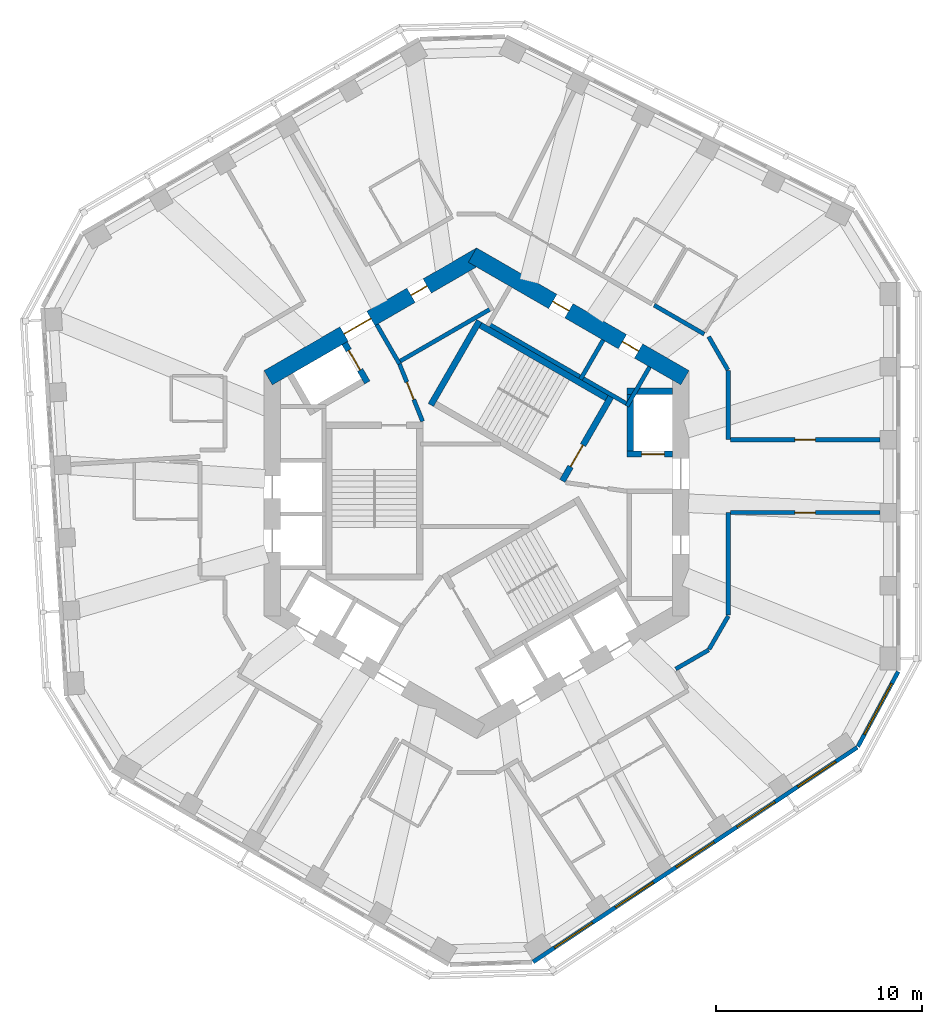
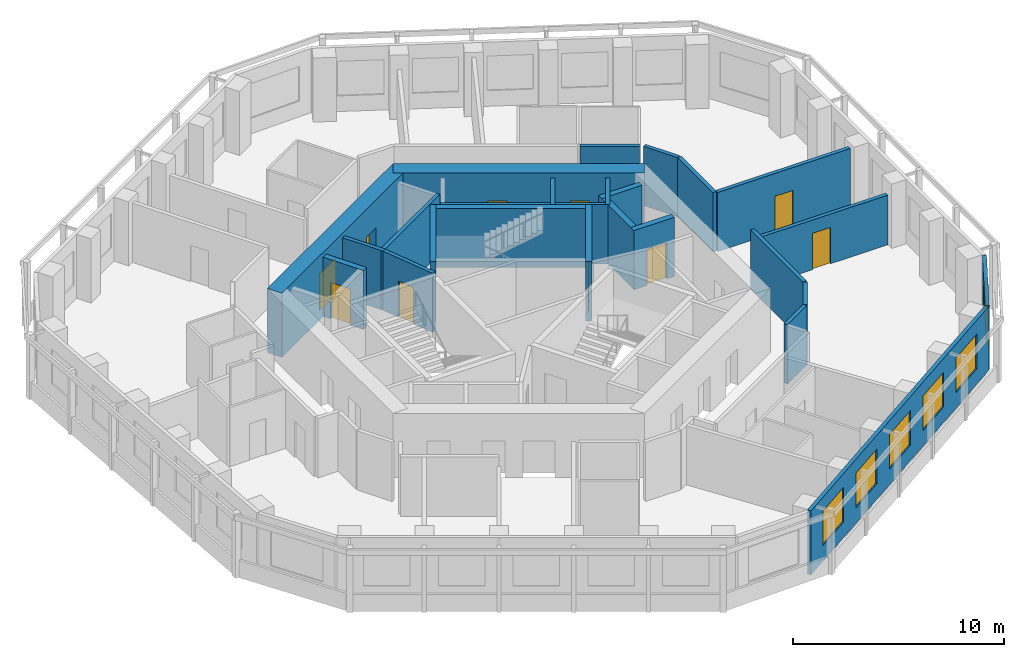
# One storey, part 6 of 11: 25 walls, 10 doors, 6 windows, 16 openings.
"""IFC4 building model written with IfcOpenShell, lengths in metres."""

from ifc_helpers import new_model, si_unit, direction, frame, frame_2d, origin, place, context, subcontext, project, spatial, rectangle, extrude, material, layer, layer_set, type_object, element, fill, save


model = new_model("IFC4")

# Units and contexts
model_context = context("Model", 3, precision=1e-05, world=origin(), true_north=direction((0.0, 1.0)))
body_context = subcontext(model_context, "Body", "Model", "MODEL_VIEW")
ifc_project = project(units=[si_unit("LENGTHUNIT", "METRE"), si_unit("AREAUNIT", "SQUARE_METRE"), si_unit("VOLUMEUNIT", "CUBIC_METRE"), si_unit("PLANEANGLEUNIT", "RADIAN"), si_unit("MASSUNIT", "GRAM", prefix="KILO")], contexts=[model_context])

# Site, building, storey
site_placement = place(None, origin())
site = spatial("IfcSite", under=ifc_project, at=site_placement, CompositionType="ELEMENT")
building_placement = place(site_placement, origin())
building = spatial("IfcBuilding", under=site, at=building_placement, Name="Vanh Sen Convention Tower", CompositionType="ELEMENT")
storey_placement = place(building_placement, frame((0.0, 0.0, 232.800048828125)))
storey = spatial("IfcBuildingStorey", under=building, at=storey_placement, Name="L57", CompositionType="ELEMENT", Elevation=232.800048828125)

# Wall, openings, doors
ifc_material_1 = material(Name="Concrete C60/75", Category="concrete")
ifc_layer_1 = layer(ifc_material_1, 0.800048828125)
ifc_layer_set_1 = layer_set([ifc_layer_1], Name="Concrete C60/75")
wall_type_1 = type_object("IfcWallType", Name="Core outer wall 800 C60/75", PredefinedType="SHEAR", material=ifc_layer_set_1)
wall_1_placement = place(storey_placement, frame((10.10009765625, 5.600341796875, 0.0), z_axis=(0.0, 0.0, 1.0), x_axis=(-0.866023897231, 0.500002609418, 0.0)))
wall_1 = element("IfcWall", 1, at=wall_1_placement, inside=storey, type_object=wall_type_1, Name="Core wall face NE L57", PredefinedType="SHEAR", context=body_context, shape_type="SweptSolid", body=[
    extrude(rectangle(XDim=11.8935546875, YDim=0.800048828125, at=frame_2d((5.94677734375, 0.0))), origin(), (0.0, 0.0, 1.0), 3.699951171875),
])
opening_1_placement = place(wall_1_placement, frame((2.5966796875, 0.0, 0.0)))
opening_1 = element("IfcOpeningElement", 2, at=opening_1_placement, cuts=wall_1, Name="Opening D56011", PredefinedType="OPENING", context=body_context, shape_type="SweptSolid", body=[
    extrude(rectangle(XDim=0.89990234375, YDim=2.10009765625, at=frame_2d((0.449951171875, 1.050048828125))), frame((0.0, 0.409912109375, 0.0), z_axis=(0.0, -1.0, 0.0), x_axis=(1.0, 0.0, 0.0)), (0.0, 0.0, 1.0), 0.820068359375),
])
opening_2_placement = place(wall_1_placement, frame((6.49658203125, 0.0, 0.0)))
opening_2 = element("IfcOpeningElement", 3, at=opening_2_placement, cuts=wall_1, Name="Opening D56012", PredefinedType="OPENING", context=body_context, shape_type="SweptSolid", body=[
    extrude(rectangle(XDim=0.89990234375, YDim=2.10009765625, at=frame_2d((0.449951171875, 1.050048828125))), frame((0.0, 0.409912109375, 0.0), z_axis=(0.0, -1.0, 0.0), x_axis=(1.0, 0.0, 0.0)), (0.0, 0.0, 1.0), 0.820068359375),
])
ifc_material_2 = material(Name="Steel S355", Category="steel")
door_type_1 = type_object("IfcDoorType", Name="Plant door 900", OperationType="SINGLE_SWING_LEFT", PredefinedType="DOOR", material=ifc_material_2)
door_1_placement = place(opening_1_placement, origin())
door_1 = element("IfcDoor", 4, at=door_1_placement, inside=storey, type_object=door_type_1, Name="Plant door D56011", OperationType="SINGLE_SWING_LEFT", OverallHeight=2.10009765625, OverallWidth=0.89990234375, PredefinedType="DOOR", context=body_context, shape_type="SweptSolid", body=[
    extrude(rectangle(XDim=0.89990234375, YDim=2.10009765625, at=frame_2d((0.449951171875, 1.050048828125))), frame((0.0, 0.02490234375, 0.0), z_axis=(0.0, -1.0, 0.0), x_axis=(1.0, 0.0, 0.0)), (0.0, 0.0, 1.0), 0.050048828125),
])
fill(opening_1, door_1)
door_2_placement = place(opening_2_placement, origin())
door_2 = element("IfcDoor", 5, at=door_2_placement, inside=storey, type_object=door_type_1, Name="Plant door D56012", OperationType="SINGLE_SWING_LEFT", OverallHeight=2.10009765625, OverallWidth=0.89990234375, PredefinedType="DOOR", context=body_context, shape_type="SweptSolid", body=[
    extrude(rectangle(XDim=0.89990234375, YDim=2.10009765625, at=frame_2d((0.449951171875, 1.050048828125))), frame((0.0, 0.02490234375, 0.0), z_axis=(0.0, -1.0, 0.0), x_axis=(1.0, 0.0, 0.0)), (0.0, 0.0, 1.0), 0.050048828125),
])
fill(opening_2, door_2)

wall_2_placement = place(storey_placement, frame((0.199951171875, 11.547119140625, 0.0), z_axis=(0.0, 0.0, 1.0), x_axis=(-0.866023897231, -0.500002609418, 0.0)))
wall_2 = element("IfcWall", 6, at=wall_2_placement, inside=storey, type_object=wall_type_1, Name="Core wall face NW L57", PredefinedType="SHEAR", context=body_context, shape_type="SweptSolid", body=[
    extrude(rectangle(XDim=11.8935546875, YDim=0.800048828125, at=frame_2d((5.94677734375, 0.0))), origin(), (0.0, 0.0, 1.0), 3.699951171875),
])
opening_3_placement = place(wall_2_placement, frame((6.146728515625, 0.0, 0.0)))
opening_3 = element("IfcOpeningElement", 7, at=opening_3_placement, cuts=wall_2, Name="Opening D56002", PredefinedType="OPENING", context=body_context, shape_type="SweptSolid", body=[
    extrude(rectangle(XDim=1.5, YDim=2.10009765625, at=frame_2d((0.75, 1.050048828125))), frame((0.0, 0.409912109375, 0.0), z_axis=(0.0, -1.0, 0.0), x_axis=(1.0, 0.0, 0.0)), (0.0, 0.0, 1.0), 0.820068359375),
])
opening_4_placement = place(wall_2_placement, frame((2.99658203125, 0.0, 0.0)))
opening_4 = element("IfcOpeningElement", 8, at=opening_4_placement, cuts=wall_2, Name="Opening D56013", PredefinedType="OPENING", context=body_context, shape_type="SweptSolid", body=[
    extrude(rectangle(XDim=0.89990234375, YDim=2.10009765625, at=frame_2d((0.449951171875, 1.050048828125))), frame((0.0, 0.409912109375, 0.0), z_axis=(0.0, -1.0, 0.0), x_axis=(1.0, 0.0, 0.0)), (0.0, 0.0, 1.0), 0.820068359375),
])
door_3_placement = place(opening_4_placement, origin())
door_3 = element("IfcDoor", 9, at=door_3_placement, inside=storey, type_object=door_type_1, Name="Plant door D56013", OperationType="SINGLE_SWING_LEFT", OverallHeight=2.10009765625, OverallWidth=0.89990234375, PredefinedType="DOOR", context=body_context, shape_type="SweptSolid", body=[
    extrude(rectangle(XDim=0.89990234375, YDim=2.10009765625, at=frame_2d((0.449951171875, 1.050048828125))), frame((0.0, 0.02490234375, 0.0), z_axis=(0.0, -1.0, 0.0), x_axis=(1.0, 0.0, 0.0)), (0.0, 0.0, 1.0), 0.050048828125),
])
fill(opening_4, door_3)
door_type_2 = type_object("IfcDoorType", Name="Stair lobby door 1500", OperationType="DOUBLE_DOOR_SINGLE_SWING", PredefinedType="DOOR", material=ifc_material_2)
door_4_placement = place(opening_3_placement, origin())
door_4 = element("IfcDoor", 10, at=door_4_placement, inside=storey, type_object=door_type_2, Name="Stair lobby door D56002", OperationType="DOUBLE_DOOR_SINGLE_SWING", OverallHeight=2.10009765625, OverallWidth=1.5, PredefinedType="DOOR", context=body_context, shape_type="SweptSolid", body=[
    extrude(rectangle(XDim=1.5, YDim=2.10009765625, at=frame_2d((0.75, 1.050048828125))), frame((0.0, 0.02490234375, 0.0), z_axis=(0.0, -1.0, 0.0), x_axis=(1.0, 0.0, 0.0)), (0.0, 0.0, 1.0), 0.050048828125),
])
fill(opening_3, door_4)

# Walls
ifc_material_3 = material(Name="Gypsum board on steel studs with mineral wool", Category="steel")
ifc_layer_2 = layer(ifc_material_3, 0.199951171875)
ifc_layer_set_2 = layer_set([ifc_layer_2], Name="Gypsum board on steel studs with mineral wool")
wall_type_2 = type_object("IfcWallType", Name="Corridor partition wall 200", PredefinedType="PARTITIONING", material=ifc_layer_set_2)
wall_3_placement = place(storey_placement, frame((9.651611328125, -8.514892578125, 0.0), z_axis=(0.0, 0.0, 1.0), x_axis=(0.866020375458, 0.500008709215, 0.0)))
element("IfcWall", 11, at=wall_3_placement, inside=storey, type_object=wall_type_2, Name="Corridor partition wall 200", PredefinedType="PARTITIONING", context=body_context, shape_type="SweptSolid", body=[
    extrude(rectangle(XDim=1.845703125, YDim=0.199951171875, at=frame_2d((0.9228515625, 0.0))), origin(), (0.0, 0.0, 1.0), 3.419921875),
])
wall_4_placement = place(storey_placement, frame((11.033447265625, 7.717041015625, 0.0), z_axis=(0.0, 0.0, 1.0), x_axis=(-0.865996816683, 0.500049511043, 0.0)))
element("IfcWall", 12, at=wall_4_placement, inside=storey, type_object=wall_type_2, Name="Corridor partition wall 200", PredefinedType="PARTITIONING", context=body_context, shape_type="SweptSolid", body=[
    extrude(rectangle(XDim=2.800048828125, YDim=0.199951171875, at=frame_2d((1.39990234375, 0.0))), origin(), (0.0, 0.0, 1.0), 3.419921875),
])
for number, where, z_axis, x_axis, name in (
    (13, (11.27001953125, -7.5576171875, 0.0), (0.0, 0.0, 1.0), (0.499964847546, 0.866045698112, 0.0), "Corridor partition wall 200"),
    (14, (12.179931640625, 5.981201171875, 0.0), (0.0, 0.0, 1.0), (-0.499964847546, 0.866045698112, 0.0), "Corridor partition wall 200"),
):
    element("IfcWall", number, at=place(storey_placement, frame(where, z_axis=z_axis, x_axis=x_axis)), inside=storey, type_object=wall_type_2, Name=name, PredefinedType="PARTITIONING", context=body_context, shape_type="SweptSolid", body=[
        extrude(rectangle(XDim=1.860107421875, YDim=0.199951171875, at=frame_2d((0.93017578125, 0.0))), origin(), (0.0, 0.0, 1.0), 3.419921875),
    ])
wall_5_placement = place(storey_placement, frame((12.199951171875, -5.90673828125, 0.0), z_axis=(0.0, 0.0, 1.0), x_axis=(0.0, 1.0, 0.0)))
element("IfcWall", 15, at=wall_5_placement, inside=storey, type_object=wall_type_2, Name="Corridor partition wall 200", PredefinedType="PARTITIONING", context=body_context, shape_type="SweptSolid", body=[
    extrude(rectangle(XDim=4.97119140625, YDim=0.199951171875, at=frame_2d((2.485595703125, 0.0))), origin(), (0.0, 0.0, 1.0), 3.419921875),
])
wall_6_placement = place(storey_placement, frame((12.199951171875, 2.59814453125, 0.0), z_axis=(0.0, 0.0, 1.0), x_axis=(0.0, 1.0, 0.0)))
element("IfcWall", 16, at=wall_6_placement, inside=storey, type_object=wall_type_2, Name="Corridor partition wall 200", PredefinedType="PARTITIONING", context=body_context, shape_type="SweptSolid", body=[
    extrude(rectangle(XDim=3.3486328125, YDim=0.199951171875, at=frame_2d((1.67431640625, 0.0))), origin(), (0.0, 0.0, 1.0), 3.419921875),
])

# Wall, opening, door
wall_7_placement = place(storey_placement, frame((12.300048828125, -0.935546875, 0.0), z_axis=(0.0, 0.0, 1.0), x_axis=(1.0, 0.0, 0.0)))
wall_7 = element("IfcWall", 17, at=wall_7_placement, inside=storey, type_object=wall_type_2, Name="Corridor partition wall 200", PredefinedType="PARTITIONING", context=body_context, shape_type="SweptSolid", body=[
    extrude(rectangle(XDim=7.25, YDim=0.199951171875, at=frame_2d((3.625, 0.0))), origin(), (0.0, 0.0, 1.0), 2.869873046875),
])
opening_5_placement = place(wall_7_placement, frame((3.125, 0.0, 0.0)))
opening_5 = element("IfcOpeningElement", 18, at=opening_5_placement, cuts=wall_7, Name="Opening D56118", PredefinedType="OPENING", context=body_context, shape_type="SweptSolid", body=[
    extrude(rectangle(XDim=1.0, YDim=2.10009765625, at=frame_2d((0.5, 1.050048828125))), frame((0.0, 0.10986328125, 0.0), z_axis=(0.0, -1.0, 0.0), x_axis=(1.0, 0.0, 0.0)), (0.0, 0.0, 1.0), 0.219970703125),
])
ifc_material_4 = material(Name="Timber fire door in steel frame", Category="steel")
door_type_3 = type_object("IfcDoorType", Name="Floor room door 1000", OperationType="SINGLE_SWING_LEFT", PredefinedType="DOOR", material=ifc_material_4)
door_5_placement = place(opening_5_placement, origin())
door_5 = element("IfcDoor", 19, at=door_5_placement, inside=storey, type_object=door_type_3, Name="Meeting and amenity room door D56118", OperationType="SINGLE_SWING_LEFT", OverallHeight=2.10009765625, OverallWidth=1.0, PredefinedType="DOOR", context=body_context, shape_type="SweptSolid", body=[
    extrude(rectangle(XDim=1.0, YDim=2.10009765625, at=frame_2d((0.5, 1.050048828125))), frame((0.0, 0.02490234375, 0.0), z_axis=(0.0, -1.0, 0.0), x_axis=(1.0, 0.0, 0.0)), (0.0, 0.0, 1.0), 0.050048828125),
])
fill(opening_5, door_5)

wall_8_placement = place(storey_placement, frame((19.550048828125, 2.59814453125, 0.0), z_axis=(0.0, 0.0, 1.0), x_axis=(-1.0, 0.0, 0.0)))
wall_8 = element("IfcWall", 20, at=wall_8_placement, inside=storey, type_object=wall_type_2, Name="Corridor partition wall 200", PredefinedType="PARTITIONING", context=body_context, shape_type="SweptSolid", body=[
    extrude(rectangle(XDim=7.25, YDim=0.199951171875, at=frame_2d((3.625, 0.0))), origin(), (0.0, 0.0, 1.0), 3.419921875),
])
opening_6_placement = place(wall_8_placement, frame((3.125, 0.0, 0.0)))
opening_6 = element("IfcOpeningElement", 21, at=opening_6_placement, cuts=wall_8, Name="Opening D56101", PredefinedType="OPENING", context=body_context, shape_type="SweptSolid", body=[
    extrude(rectangle(XDim=1.0, YDim=2.10009765625, at=frame_2d((0.5, 1.050048828125))), frame((0.0, 0.10986328125, 0.0), z_axis=(0.0, -1.0, 0.0), x_axis=(1.0, 0.0, 0.0)), (0.0, 0.0, 1.0), 0.219970703125),
])
ifc_material_5 = material(Name="Glazed fire door in steel frame", Category="steel")
door_type_4 = type_object("IfcDoorType", Name="Tenant entrance door 1000", OperationType="SINGLE_SWING_LEFT", PredefinedType="DOOR", material=ifc_material_5)
door_6_placement = place(opening_6_placement, origin())
door_6 = element("IfcDoor", 22, at=door_6_placement, inside=storey, type_object=door_type_4, Name="Tenant suite entrance door D56101", OperationType="SINGLE_SWING_LEFT", OverallHeight=2.10009765625, OverallWidth=1.0, PredefinedType="DOOR", context=body_context, shape_type="SweptSolid", body=[
    extrude(rectangle(XDim=1.0, YDim=2.10009765625, at=frame_2d((0.5, 1.050048828125))), frame((0.0, 0.02490234375, 0.0), z_axis=(0.0, -1.0, 0.0), x_axis=(1.0, 0.0, 0.0)), (0.0, 0.0, 1.0), 0.050048828125),
])
fill(opening_6, door_6)

# Wall, openings, windows
ifc_material_6 = material(Name="Insulated lightweight infill wall")
ifc_layer_3 = layer(ifc_material_6, 0.199951171875)
ifc_layer_set_3 = layer_set([ifc_layer_3], Name="Insulated lightweight infill wall")
wall_type_3 = type_object("IfcWallType", Name="External wall 200", PredefinedType="STANDARD", material=ifc_layer_set_3)
wall_9_placement = place(storey_placement, frame((2.739013671875, -22.7109375, 0.0), z_axis=(0.0, 0.0, 1.0), x_axis=(0.833885723098, 0.551937134838, 0.0)))
wall_9 = element("IfcWall", 23, at=wall_9_placement, inside=storey, type_object=wall_type_3, Name="External wall SE L57", PredefinedType="STANDARD", context=body_context, shape_type="SweptSolid", body=[
    extrude(rectangle(XDim=18.84130859375, YDim=0.199951171875, at=frame_2d((9.420654296875, 0.0))), origin(), (0.0, 0.0, 1.0), 3.699951171875),
])
opening_7_placement = place(wall_9_placement, frame((1.25244140625, 0.0, 0.89990234375)))
opening_7 = element("IfcOpeningElement", 24, at=opening_7_placement, cuts=wall_9, Name="Opening WO3-SE1", PredefinedType="OPENING", context=body_context, shape_type="SweptSolid", body=[
    extrude(rectangle(XDim=2.199951171875, YDim=2.0, at=frame_2d((1.10009765625, 1.0))), frame((0.0, 0.10986328125, 0.0), z_axis=(0.0, -1.0, 0.0), x_axis=(1.0, 0.0, 0.0)), (0.0, 0.0, 1.0), 0.219970703125),
])
opening_8_placement = place(wall_9_placement, frame((4.7861328125, 0.0, 0.89990234375)))
opening_8 = element("IfcOpeningElement", 25, at=opening_8_placement, cuts=wall_9, Name="Opening WO3-SE2", PredefinedType="OPENING", context=body_context, shape_type="SweptSolid", body=[
    extrude(rectangle(XDim=2.199951171875, YDim=2.0, at=frame_2d((1.10009765625, 1.0))), frame((0.0, 0.10986328125, 0.0), z_axis=(0.0, -1.0, 0.0), x_axis=(1.0, 0.0, 0.0)), (0.0, 0.0, 1.0), 0.219970703125),
])
opening_9_placement = place(wall_9_placement, frame((8.31982421875, 0.0, 0.89990234375)))
opening_9 = element("IfcOpeningElement", 26, at=opening_9_placement, cuts=wall_9, Name="Opening WO3-SE3", PredefinedType="OPENING", context=body_context, shape_type="SweptSolid", body=[
    extrude(rectangle(XDim=2.199951171875, YDim=2.0, at=frame_2d((1.10009765625, 1.0))), frame((0.0, 0.10986328125, 0.0), z_axis=(0.0, -1.0, 0.0), x_axis=(1.0, 0.0, 0.0)), (0.0, 0.0, 1.0), 0.219970703125),
])
opening_10_placement = place(wall_9_placement, frame((11.853515625, 0.0, 0.89990234375)))
opening_10 = element("IfcOpeningElement", 27, at=opening_10_placement, cuts=wall_9, Name="Opening WO3-SE4", PredefinedType="OPENING", context=body_context, shape_type="SweptSolid", body=[
    extrude(rectangle(XDim=2.199951171875, YDim=2.0, at=frame_2d((1.10009765625, 1.0))), frame((0.0, 0.10986328125, 0.0), z_axis=(0.0, -1.0, 0.0), x_axis=(1.0, 0.0, 0.0)), (0.0, 0.0, 1.0), 0.219970703125),
])
opening_11_placement = place(wall_9_placement, frame((15.386962890625, 0.0, 0.89990234375)))
opening_11 = element("IfcOpeningElement", 28, at=opening_11_placement, cuts=wall_9, Name="Opening WO3-SE5", PredefinedType="OPENING", context=body_context, shape_type="SweptSolid", body=[
    extrude(rectangle(XDim=2.199951171875, YDim=2.0, at=frame_2d((1.10009765625, 1.0))), frame((0.0, 0.10986328125, 0.0), z_axis=(0.0, -1.0, 0.0), x_axis=(1.0, 0.0, 0.0)), (0.0, 0.0, 1.0), 0.219970703125),
])
ifc_material_7 = material(Name="Aluminium frame with clear low-emissivity glass", Category="aluminium")
window_type_1 = type_object("IfcWindowType", Name="Office window 2200 x 2000", PartitioningType="SINGLE_PANEL", PredefinedType="WINDOW", material=ifc_material_7)
window_1_placement = place(opening_7_placement, origin())
window_1 = element("IfcWindow", 29, at=window_1_placement, inside=storey, type_object=window_type_1, Name="Window WO3-SE1", OverallHeight=2.0, OverallWidth=2.199951171875, PartitioningType="SINGLE_PANEL", PredefinedType="WINDOW", context=body_context, shape_type="SweptSolid", body=[
    extrude(rectangle(XDim=2.199951171875, YDim=2.0, at=frame_2d((1.10009765625, 1.0))), frame((0.0, 0.030029296875, 0.0), z_axis=(0.0, -1.0, 0.0), x_axis=(1.0, 0.0, 0.0)), (0.0, 0.0, 1.0), 0.06005859375),
])
fill(opening_7, window_1)
window_2_placement = place(opening_8_placement, origin())
window_2 = element("IfcWindow", 30, at=window_2_placement, inside=storey, type_object=window_type_1, Name="Window WO3-SE2", OverallHeight=2.0, OverallWidth=2.199951171875, PartitioningType="SINGLE_PANEL", PredefinedType="WINDOW", context=body_context, shape_type="SweptSolid", body=[
    extrude(rectangle(XDim=2.199951171875, YDim=2.0, at=frame_2d((1.10009765625, 1.0))), frame((0.0, 0.030029296875, 0.0), z_axis=(0.0, -1.0, 0.0), x_axis=(1.0, 0.0, 0.0)), (0.0, 0.0, 1.0), 0.06005859375),
])
fill(opening_8, window_2)
window_3_placement = place(opening_9_placement, origin())
window_3 = element("IfcWindow", 31, at=window_3_placement, inside=storey, type_object=window_type_1, Name="Window WO3-SE3", OverallHeight=2.0, OverallWidth=2.199951171875, PartitioningType="SINGLE_PANEL", PredefinedType="WINDOW", context=body_context, shape_type="SweptSolid", body=[
    extrude(rectangle(XDim=2.199951171875, YDim=2.0, at=frame_2d((1.10009765625, 1.0))), frame((0.0, 0.030029296875, 0.0), z_axis=(0.0, -1.0, 0.0), x_axis=(1.0, 0.0, 0.0)), (0.0, 0.0, 1.0), 0.06005859375),
])
fill(opening_9, window_3)
window_4_placement = place(opening_10_placement, origin())
window_4 = element("IfcWindow", 32, at=window_4_placement, inside=storey, type_object=window_type_1, Name="Window WO3-SE4", OverallHeight=2.0, OverallWidth=2.199951171875, PartitioningType="SINGLE_PANEL", PredefinedType="WINDOW", context=body_context, shape_type="SweptSolid", body=[
    extrude(rectangle(XDim=2.199951171875, YDim=2.0, at=frame_2d((1.10009765625, 1.0))), frame((0.0, 0.030029296875, 0.0), z_axis=(0.0, -1.0, 0.0), x_axis=(1.0, 0.0, 0.0)), (0.0, 0.0, 1.0), 0.06005859375),
])
fill(opening_10, window_4)
window_5_placement = place(opening_11_placement, origin())
window_5 = element("IfcWindow", 33, at=window_5_placement, inside=storey, type_object=window_type_1, Name="Window WO3-SE5", OverallHeight=2.0, OverallWidth=2.199951171875, PartitioningType="SINGLE_PANEL", PredefinedType="WINDOW", context=body_context, shape_type="SweptSolid", body=[
    extrude(rectangle(XDim=2.199951171875, YDim=2.0, at=frame_2d((1.10009765625, 1.0))), frame((0.0, 0.030029296875, 0.0), z_axis=(0.0, -1.0, 0.0), x_axis=(1.0, 0.0, 0.0)), (0.0, 0.0, 1.0), 0.06005859375),
])
fill(opening_11, window_5)

# Wall, opening, window
wall_10_placement = place(storey_placement, frame((18.4833984375, -12.275634765625, 0.0), z_axis=(0.0, 0.0, 1.0), x_axis=(0.473267675015, 0.880918672629, 0.0)))
wall_10 = element("IfcWall", 34, at=wall_10_placement, inside=storey, type_object=wall_type_3, Name="External wall CH6 L57", PredefinedType="STANDARD", context=body_context, shape_type="SweptSolid", body=[
    extrude(rectangle(XDim=4.1298828125, YDim=0.199951171875, at=frame_2d((2.06494140625, 0.0))), origin(), (0.0, 0.0, 1.0), 3.699951171875),
])
opening_12_placement = place(wall_10_placement, frame((0.6650390625, 0.0, 0.89990234375)))
opening_12 = element("IfcOpeningElement", 35, at=opening_12_placement, cuts=wall_10, Name="Opening WO4-CH61", PredefinedType="OPENING", context=body_context, shape_type="SweptSolid", body=[
    extrude(rectangle(XDim=2.800048828125, YDim=2.0, at=frame_2d((1.39990234375, 1.0))), frame((0.0, 0.10986328125, 0.0), z_axis=(0.0, -1.0, 0.0), x_axis=(1.0, 0.0, 0.0)), (0.0, 0.0, 1.0), 0.219970703125),
])
window_type_2 = type_object("IfcWindowType", Name="Office window 2800 x 2000", PartitioningType="SINGLE_PANEL", PredefinedType="WINDOW", material=ifc_material_7)
window_6_placement = place(opening_12_placement, origin())
window_6 = element("IfcWindow", 36, at=window_6_placement, inside=storey, type_object=window_type_2, Name="Window WO4-CH61", OverallHeight=2.0, OverallWidth=2.800048828125, PartitioningType="SINGLE_PANEL", PredefinedType="WINDOW", context=body_context, shape_type="SweptSolid", body=[
    extrude(rectangle(XDim=2.800048828125, YDim=2.0, at=frame_2d((1.39990234375, 1.0))), frame((0.0, 0.030029296875, 0.0), z_axis=(0.0, -1.0, 0.0), x_axis=(1.0, 0.0, 0.0)), (0.0, 0.0, 1.0), 0.06005859375),
])
fill(opening_12, window_6)

# Wall, opening, door
ifc_layer_4 = layer(ifc_material_1, 0.300048828125)
ifc_layer_set_4 = layer_set([ifc_layer_4], Name="Concrete C60/75")
wall_type_4 = type_object("IfcWallType", Name="Fire-fighting lift shaft wall 300", PredefinedType="SHEAR", material=ifc_layer_set_4)
wall_11_placement = place(storey_placement, frame((7.300048828125, 1.89990234375, 0.0), z_axis=(0.0, 0.0, 1.0), x_axis=(1.0, 0.0, 0.0)))
wall_11 = element("IfcWall", 37, at=wall_11_placement, inside=storey, type_object=wall_type_4, Name="Fire-fighting lift shaft wall L57", PredefinedType="SHEAR", context=body_context, shape_type="SweptSolid", body=[
    extrude(rectangle(XDim=2.199951171875, YDim=0.300048828125, at=frame_2d((1.10009765625, 0.0))), origin(), (0.0, 0.0, 1.0), 3.419921875),
])
opening_13_placement = place(wall_11_placement, frame((0.699951171875, 0.0, 0.0)))
opening_13 = element("IfcOpeningElement", 38, at=opening_13_placement, cuts=wall_11, Name="Opening LD-FF1", PredefinedType="OPENING", context=body_context, shape_type="SweptSolid", body=[
    extrude(rectangle(XDim=1.10009765625, YDim=2.10009765625, at=frame_2d((0.550048828125, 1.050048828125))), frame((0.0, 0.159912109375, 0.0), z_axis=(0.0, -1.0, 0.0), x_axis=(1.0, 0.0, 0.0)), (0.0, 0.0, 1.0), 0.320068359375),
])
ifc_material_8 = material(Name="Stainless steel", Category="steel")
door_type_5 = type_object("IfcDoorType", Name="Fire-fighting lift landing door 1100", OperationType="DOUBLE_DOOR_SLIDING", PredefinedType="DOOR", material=ifc_material_8)
door_7_placement = place(opening_13_placement, origin())
door_7 = element("IfcDoor", 39, at=door_7_placement, inside=storey, type_object=door_type_5, Name="Lift FF1 landing door LD-FF1", OperationType="DOUBLE_DOOR_SLIDING", OverallHeight=2.10009765625, OverallWidth=1.10009765625, PredefinedType="DOOR", context=body_context, shape_type="SweptSolid", body=[
    extrude(rectangle(XDim=1.10009765625, YDim=2.10009765625, at=frame_2d((0.550048828125, 1.050048828125))), frame((0.0, 0.02490234375, 0.0), z_axis=(0.0, -1.0, 0.0), x_axis=(1.0, 0.0, 0.0)), (0.0, 0.0, 1.0), 0.050048828125),
])
fill(opening_13, door_7)

# Walls
wall_12_placement = place(storey_placement, frame((7.449951171875, 1.75, 0.0), z_axis=(0.0, 0.0, 1.0), x_axis=(0.0, 1.0, 0.0)))
element("IfcWall", 40, at=wall_12_placement, inside=storey, type_object=wall_type_4, Name="Fire-fighting lift shaft wall L57", PredefinedType="SHEAR", context=body_context, shape_type="SweptSolid", body=[
    extrude(rectangle(XDim=3.35009765625, YDim=0.300048828125, at=frame_2d((1.675048828125, 0.0))), origin(), (0.0, 0.0, 1.0), 3.419921875),
])
wall_13_placement = place(storey_placement, frame((7.300048828125, 4.949951171875, 0.0), z_axis=(0.0, 0.0, 1.0), x_axis=(1.0, 0.0, 0.0)))
element("IfcWall", 41, at=wall_13_placement, inside=storey, type_object=wall_type_4, Name="Fire-fighting lift shaft wall L57", PredefinedType="SHEAR", context=body_context, shape_type="SweptSolid", body=[
    extrude(rectangle(XDim=2.199951171875, YDim=0.300048828125, at=frame_2d((1.10009765625, 0.0))), origin(), (0.0, 0.0, 1.0), 3.419921875),
])

# Wall, opening, door
wall_14_placement = place(storey_placement, frame((-5.29541015625, 5.3720703125, 0.0), z_axis=(0.0, 0.0, 1.0), x_axis=(-0.500077893725, 0.86598042715, 0.0)))
wall_14 = element("IfcWall", 42, at=wall_14_placement, inside=storey, type_object=wall_type_4, Name="Fire-fighting lift shaft wall L57", PredefinedType="SHEAR", context=body_context, shape_type="SweptSolid", body=[
    extrude(rectangle(XDim=2.199951171875, YDim=0.300048828125, at=frame_2d((1.10009765625, 0.0))), origin(), (0.0, 0.0, 1.0), 3.419921875),
])
opening_14_placement = place(wall_14_placement, frame((0.699951171875, 0.0, 0.0)))
opening_14 = element("IfcOpeningElement", 43, at=opening_14_placement, cuts=wall_14, Name="Opening LD-FF2", PredefinedType="OPENING", context=body_context, shape_type="SweptSolid", body=[
    extrude(rectangle(XDim=1.10009765625, YDim=2.10009765625, at=frame_2d((0.550048828125, 1.050048828125))), frame((0.0, 0.159912109375, 0.0), z_axis=(0.0, -1.0, 0.0), x_axis=(1.0, 0.0, 0.0)), (0.0, 0.0, 1.0), 0.320068359375),
])
door_8_placement = place(opening_14_placement, origin())
door_8 = element("IfcDoor", 44, at=door_8_placement, inside=storey, type_object=door_type_5, Name="Lift FF2 landing door LD-FF2", OperationType="DOUBLE_DOOR_SLIDING", OverallHeight=2.10009765625, OverallWidth=1.10009765625, PredefinedType="DOOR", context=body_context, shape_type="SweptSolid", body=[
    extrude(rectangle(XDim=1.10009765625, YDim=2.10009765625, at=frame_2d((0.550048828125, 1.050048828125))), frame((0.0, 0.02490234375, 0.0), z_axis=(0.0, -1.0, 0.0), x_axis=(1.0, 0.0, 0.0)), (0.0, 0.0, 1.0), 0.050048828125),
])
fill(opening_14, door_8)

# Walls
ifc_material_9 = material(Name="Concrete C40/50", Category="concrete")
ifc_layer_5 = layer(ifc_material_9, 0.199951171875)
ifc_layer_set_5 = layer_set([ifc_layer_5], Name="Concrete C40/50")
wall_type_5 = type_object("IfcWallType", Name="Lift shaft wall 200", PredefinedType="PARTITIONING", material=ifc_layer_set_5)
wall_15_placement = place(storey_placement, frame((7.423828125, 4.258544921875, 0.0), z_axis=(0.0, 0.0, 1.0), x_axis=(-0.866026010844, 0.49999894854, 0.0)))
element("IfcWall", 45, at=wall_15_placement, inside=storey, type_object=wall_type_5, Name="Lift shaft wall L57", PredefinedType="PARTITIONING", context=body_context, shape_type="SweptSolid", body=[
    extrude(rectangle(XDim=8.0, YDim=0.199951171875, at=frame_2d((4.0, 0.0))), origin(), (0.0, 0.0, 1.0), 3.419921875),
])
for number, where, z_axis, x_axis, name in (
    (46, (7.287353515625, 4.221923828125, 0.0), (0.0, 0.0, 1.0), (0.499946605688, 0.86605622881, 0.0), "Lift shaft wall L57"),
    (47, (5.03564453125, 5.52197265625, 0.0), (0.0, 0.0, 1.0), (0.499946605688, 0.86605622881, 0.0), "Lift shaft wall L57"),
):
    element("IfcWall", number, at=place(storey_placement, frame(where, z_axis=z_axis, x_axis=x_axis)), inside=storey, type_object=wall_type_5, Name=name, PredefinedType="PARTITIONING", context=body_context, shape_type="SweptSolid", body=[
        extrude(rectangle(XDim=2.199951171875, YDim=0.199951171875, at=frame_2d((1.10009765625, 0.0))), origin(), (0.0, 0.0, 1.0), 3.419921875),
    ])
wall_16_placement = place(storey_placement, frame((0.80322265625, 9.008544921875, 0.0), z_axis=(0.0, 0.0, 1.0), x_axis=(-0.866028230842, -0.499995103361, 0.0)))
element("IfcWall", 48, at=wall_16_placement, inside=storey, type_object=wall_type_5, Name="Lift shaft wall L57", PredefinedType="PARTITIONING", context=body_context, shape_type="SweptSolid", body=[
    extrude(rectangle(XDim=5.39990234375, YDim=0.199951171875, at=frame_2d((2.699951171875, 0.0))), origin(), (0.0, 0.0, 1.0), 3.419921875),
])
wall_17_placement = place(storey_placement, frame((-3.736572265625, 6.27197265625, 0.0), z_axis=(0.0, 0.0, 1.0), x_axis=(-0.50002983664, 0.866008176907, 0.0)))
element("IfcWall", 49, at=wall_17_placement, inside=storey, type_object=wall_type_5, Name="Lift shaft wall L57", PredefinedType="PARTITIONING", context=body_context, shape_type="SweptSolid", body=[
    extrude(rectangle(XDim=2.199951171875, YDim=0.199951171875, at=frame_2d((1.10009765625, 0.0))), origin(), (0.0, 0.0, 1.0), 3.419921875),
])

# Wall, opening, door
ifc_layer_6 = layer(ifc_material_9, 0.199951171875)
ifc_layer_set_6 = layer_set([ifc_layer_6], Name="Concrete C40/50")
wall_type_6 = type_object("IfcWallType", Name="Stair lobby wall 200", PredefinedType="PARTITIONING", material=ifc_layer_set_6)
wall_18_placement = place(storey_placement, frame((-2.614990234375, 3.487060546875, 0.0), z_axis=(0.0, 0.0, 1.0), x_axis=(-0.373576831041, 0.92759924068, 0.0)))
wall_18 = element("IfcWall", 50, at=wall_18_placement, inside=storey, type_object=wall_type_6, Name="Stair lobby wall L57", PredefinedType="PARTITIONING", context=body_context, shape_type="SweptSolid", body=[
    extrude(rectangle(XDim=3.002197265625, YDim=0.199951171875, at=frame_2d((1.5009765625, 0.0))), origin(), (0.0, 0.0, 1.0), 3.419921875),
])
opening_15_placement = place(wall_18_placement, frame((1.14990234375, 0.0, 0.0)))
opening_15 = element("IfcOpeningElement", 51, at=opening_15_placement, cuts=wall_18, Name="Opening D56008", PredefinedType="OPENING", context=body_context, shape_type="SweptSolid", body=[
    extrude(rectangle(XDim=0.89990234375, YDim=2.10009765625, at=frame_2d((0.449951171875, 1.050048828125))), frame((0.0, 0.10986328125, 0.0), z_axis=(0.0, -1.0, 0.0), x_axis=(1.0, 0.0, 0.0)), (0.0, 0.0, 1.0), 0.219970703125),
])
door_9_placement = place(opening_15_placement, origin())
door_9 = element("IfcDoor", 52, at=door_9_placement, inside=storey, type_object=door_type_1, Name="Plant door D56008", OperationType="SINGLE_SWING_LEFT", OverallHeight=2.10009765625, OverallWidth=0.89990234375, PredefinedType="DOOR", context=body_context, shape_type="SweptSolid", body=[
    extrude(rectangle(XDim=0.89990234375, YDim=2.10009765625, at=frame_2d((0.449951171875, 1.050048828125))), frame((0.0, 0.02490234375, 0.0), z_axis=(0.0, -1.0, 0.0), x_axis=(1.0, 0.0, 0.0)), (0.0, 0.0, 1.0), 0.050048828125),
])
fill(opening_15, door_9)

ifc_layer_7 = layer(ifc_material_1, 0.300048828125)
ifc_layer_set_7 = layer_set([ifc_layer_7], Name="Concrete C60/75")
wall_type_7 = type_object("IfcWallType", Name="Stair wall 300", PredefinedType="SHEAR", material=ifc_layer_set_7)
wall_19_placement = place(storey_placement, frame((4.157958984375, 0.601806640625, 0.0), z_axis=(0.0, 0.0, 1.0), x_axis=(0.499977259774, 0.866038532462, 0.0)))
wall_19 = element("IfcWall", 53, at=wall_19_placement, inside=storey, type_object=wall_type_7, Name="Stair wall L57", PredefinedType="SHEAR", context=body_context, shape_type="SweptSolid", body=[
    extrude(rectangle(XDim=4.699951171875, YDim=0.300048828125, at=frame_2d((2.35009765625, 0.0))), origin(), (0.0, 0.0, 1.0), 3.419921875),
])
opening_16_placement = place(wall_19_placement, frame((0.800048828125, 0.0, 0.0)))
opening_16 = element("IfcOpeningElement", 54, at=opening_16_placement, cuts=wall_19, Name="Opening D56004", PredefinedType="OPENING", context=body_context, shape_type="SweptSolid", body=[
    extrude(rectangle(XDim=1.199951171875, YDim=2.10009765625, at=frame_2d((0.60009765625, 1.050048828125))), frame((0.0, 0.159912109375, 0.0), z_axis=(0.0, -1.0, 0.0), x_axis=(1.0, 0.0, 0.0)), (0.0, 0.0, 1.0), 0.320068359375),
])
door_type_6 = type_object("IfcDoorType", Name="Stair door 1200", OperationType="SINGLE_SWING_RIGHT", PredefinedType="DOOR", material=ifc_material_2)
door_10_placement = place(opening_16_placement, origin())
door_10 = element("IfcDoor", 55, at=door_10_placement, inside=storey, type_object=door_type_6, Name="Stair ST1 door D56004", OperationType="SINGLE_SWING_RIGHT", OverallHeight=2.10009765625, OverallWidth=1.199951171875, PredefinedType="DOOR", context=body_context, shape_type="SweptSolid", body=[
    extrude(rectangle(XDim=1.199951171875, YDim=2.10009765625, at=frame_2d((0.60009765625, 1.050048828125))), frame((0.0, 0.02490234375, 0.0), z_axis=(0.0, -1.0, 0.0), x_axis=(1.0, 0.0, 0.0)), (0.0, 0.0, 1.0), 0.050048828125),
])
fill(opening_16, door_10)

# Walls
wall_20_placement = place(storey_placement, frame((-2.216064453125, 4.28173828125, 0.0), z_axis=(0.0, 0.0, 1.0), x_axis=(0.499977259774, 0.866038532462, 0.0)))
element("IfcWall", 56, at=wall_20_placement, inside=storey, type_object=wall_type_7, Name="Stair wall L57", PredefinedType="SHEAR", context=body_context, shape_type="SweptSolid", body=[
    extrude(rectangle(XDim=4.699951171875, YDim=0.300048828125, at=frame_2d((2.35009765625, 0.0))), origin(), (0.0, 0.0, 1.0), 3.419921875),
])
wall_21_placement = place(storey_placement, frame((6.302978515625, 4.6171875, 0.0), z_axis=(0.0, 0.0, 1.0), x_axis=(-0.866027801685, 0.499995846692, 0.0)))
element("IfcWall", 57, at=wall_21_placement, inside=storey, type_object=wall_type_7, Name="Stair wall L57", PredefinedType="SHEAR", context=body_context, shape_type="SweptSolid", body=[
    extrude(rectangle(XDim=7.06005859375, YDim=0.300048828125, at=frame_2d((3.530029296875, 0.0))), origin(), (0.0, 0.0, 1.0), 3.419921875),
])

save(model, "model.ifc")
